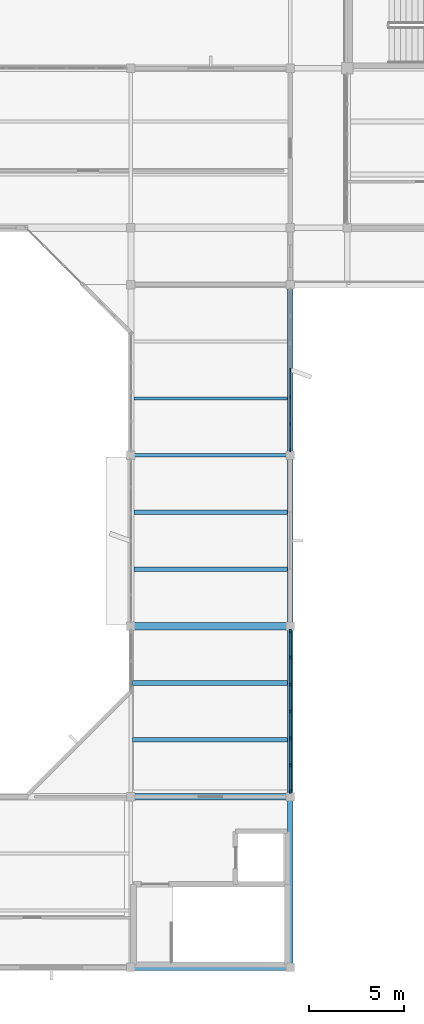
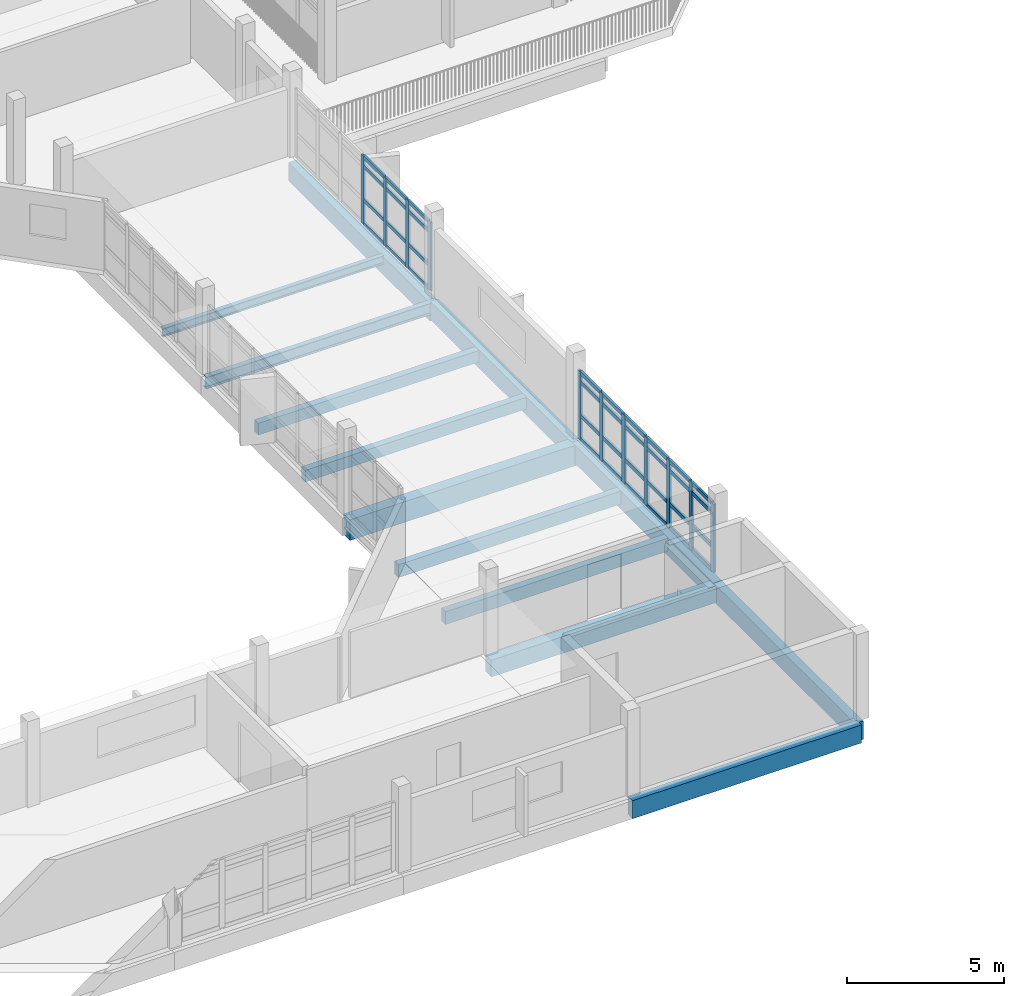
# One storey, part 6 of 33: 47 members, 13 beams, 2 elements without a shape of their own.
"""IFC4 building model written with IfcOpenShell, lengths in metres."""

from ifc_helpers import new_model, si_unit, direction, frame, origin, origin_2d, place, context, subcontext, project, spatial, rectangle, i_section, extrude, material, material_profile, profile_set, type_object, element, aggregate, save


model = new_model("IFC4")

# Units and contexts
model_context = context("Model", 3, precision=1e-05, world=origin(), true_north=direction((0.0, 1.0)))
body_context = subcontext(model_context, "Body", "Model", "MODEL_VIEW")
ifc_project = project(units=[si_unit("LENGTHUNIT", "METRE"), si_unit("AREAUNIT", "SQUARE_METRE"), si_unit("VOLUMEUNIT", "CUBIC_METRE"), si_unit("PLANEANGLEUNIT", "RADIAN"), si_unit("MASSUNIT", "GRAM", prefix="KILO")], contexts=[model_context])

# Site, building, storey
site_placement = place(None, origin())
site = spatial("IfcSite", under=ifc_project, at=site_placement, CompositionType="ELEMENT")
building_placement = place(site_placement, origin())
building = spatial("IfcBuilding", under=site, at=building_placement, Name="Vanh Quang Courtyard School", CompositionType="ELEMENT")
storey_placement = place(building_placement, frame((0.0, 0.0, 18.60009765625)))
storey = spatial("IfcBuildingStorey", under=building, at=storey_placement, Name="L05", CompositionType="ELEMENT", Elevation=18.60009765625)

# Beams
ifc_material_1 = material(Name="Concrete C35/45", Category="concrete")
ifc_material_profile_1 = material_profile(ifc_material_1, rectangle(XDim=0.35009765625, YDim=0.64990234375, at=origin_2d()), Name="RC-BM 350x650")
ifc_profile_set_1 = profile_set([ifc_material_profile_1], Name="Concrete C35/45")
beam_type_1 = type_object("IfcBeamType", Name="BM-RC-350x650", PredefinedType="BEAM", material=ifc_profile_set_1)
beam_1_placement = place(storey_placement, frame((66.0, 41.39990234375, -0.5751953125), z_axis=(1.0, 0.0, 0.0), x_axis=(0.0, 1.0, 0.0)))
element("IfcBeam", 1, at=beam_1_placement, inside=storey, type_object=beam_type_1, Name="Beam B-05 (L05)", PredefinedType="BEAM", context=body_context, shape_type="SweptSolid", body=[
    extrude(rectangle(XDim=0.35009765625, YDim=0.64990234375, at=origin_2d()), origin(), (0.0, 0.0, 1.0), 8.39990234375),
])
ifc_material_profile_2 = material_profile(ifc_material_1, rectangle(XDim=0.39990234375, YDim=0.800048828125, at=origin_2d()), Name="RC-BM 400x800")
ifc_profile_set_2 = profile_set([ifc_material_profile_2], Name="Concrete C35/45")
beam_type_2 = type_object("IfcBeamType", Name="BM-RC-400x800", PredefinedType="BEAM", material=ifc_profile_set_2)
beam_2_placement = place(storey_placement, frame((66.0, 50.39990234375, -0.650146484375), z_axis=(1.0, 0.0, 0.0), x_axis=(0.0, 1.0, 0.0)))
element("IfcBeam", 2, at=beam_2_placement, inside=storey, type_object=beam_type_2, Name="Beam B-02 (L05)", PredefinedType="BEAM", context=body_context, shape_type="SweptSolid", body=[
    extrude(rectangle(XDim=0.39990234375, YDim=0.800048828125, at=origin_2d()), origin(), (0.0, 0.0, 1.0), 8.39990234375),
])
ifc_material_profile_3 = material_profile(ifc_material_1, rectangle(XDim=0.300048828125, YDim=0.699951171875, at=origin_2d()), Name="RC-SP 300x700")
ifc_profile_set_3 = profile_set([ifc_material_profile_3], Name="Concrete C35/45")
beam_type_3 = type_object("IfcBeamType", Name="BM-SP-300x700", PredefinedType="SPANDREL", material=ifc_profile_set_3)
beam_3_placement = place(storey_placement, frame((66.0, 32.39990234375, -0.60009765625), z_axis=(1.0, 0.0, 0.0), x_axis=(0.0, 1.0, 0.0)))
element("IfcBeam", 3, at=beam_3_placement, inside=storey, type_object=beam_type_3, Name="Beam BS-01 (L05)", PredefinedType="SPANDREL", context=body_context, shape_type="SweptSolid", body=[
    extrude(rectangle(XDim=0.300048828125, YDim=0.699951171875, at=origin_2d()), origin(), (0.0, 0.0, 1.0), 8.39990234375),
])
for number, where, z_axis, x_axis, name in (
    (4, (74.39990234375, 32.39990234375, -0.60009765625), (0.0, 1.0, 0.0), (-1.0, 0.0, 0.0), "Beam BS-01 (L05)"),
    (5, (74.39990234375, 41.39990234375, -0.60009765625), (0.0, 1.0, 0.0), (-1.0, 0.0, 0.0), "Beam BS-01 (L05)"),
    (6, (74.39990234375, 50.39990234375, -0.60009765625), (0.0, 1.0, 0.0), (-1.0, 0.0, 0.0), "Beam BS-01 (L05)"),
    (7, (74.39990234375, 59.39990234375, -0.670166015625), (0.0, 1.0, 0.0), (-1.0, 0.0, 0.0), "Beam BS-01 (L05)"),
):
    element("IfcBeam", number, at=place(storey_placement, frame(where, z_axis=z_axis, x_axis=x_axis)), inside=storey, type_object=beam_type_3, Name=name, PredefinedType="SPANDREL", context=body_context, shape_type="SweptSolid", body=[
        extrude(rectangle(XDim=0.300048828125, YDim=0.699951171875, at=origin_2d()), origin(), (0.0, 0.0, 1.0), 9.0),
    ])
ifc_material_2 = material(Name="Structural steel EN 10025-2 S355J2", Category="steel")
ifc_material_profile_4 = material_profile(ifc_material_2, i_section(OverallWidth=0.18994140625, OverallDepth=0.449951171875, WebThickness=0.009521484375, FlangeThickness=0.0146484375, FilletRadius=0.02099609375, at=origin_2d()), Name="IPE 450")
ifc_profile_set_4 = profile_set([ifc_material_profile_4], Name="Structural steel EN 10025-2 S355J2")
beam_type_4 = type_object("IfcBeamType", Name="BM-STL-IPE450", PredefinedType="BEAM", material=ifc_profile_set_4)
beam_4_placement = place(storey_placement, frame((66.0, 59.39990234375, -0.47509765625), z_axis=(1.0, 0.0, 0.0), x_axis=(0.0, 1.0, 0.0)))
element("IfcBeam", 8, at=beam_4_placement, inside=storey, type_object=beam_type_4, Name="Beam SB-04 (L05)", PredefinedType="BEAM", context=body_context, shape_type="SweptSolid", body=[
    extrude(i_section(OverallWidth=0.18994140625, OverallDepth=0.449951171875, WebThickness=0.009521484375, FlangeThickness=0.0146484375, FilletRadius=0.02099609375, at=origin_2d()), origin(), (0.0, 0.0, 1.0), 8.39990234375),
])

# Curtain wall, members
ifc_material_3 = material(Name="Thermally broken aluminium unitised curtain wall", Category="aluminium")
curtain_wall_type = type_object("IfcCurtainWallType", Name="CW-SYS-50", PredefinedType="NOTDEFINED", material=ifc_material_3)
curtain_wall_1_placement = place(storey_placement, origin())
curtain_wall_1 = element("IfcCurtainWall", 9, at=curtain_wall_1_placement, inside=storey, type_object=curtain_wall_type, Name="Curtain Wall CW-50 (L05)", PredefinedType="NOTDEFINED")
ifc_material_4 = material(Name="Anodised aluminium 6063-T6", Category="aluminium")
ifc_material_profile_5 = material_profile(ifc_material_4, rectangle(XDim=0.070068359375, YDim=0.179931640625, at=origin_2d()), Name="ALU-MUL 70x180")
ifc_profile_set_5 = profile_set([ifc_material_profile_5], Name="Anodised aluminium 6063-T6")
member_type_1 = type_object("IfcMemberType", Name="CW-MUL-70x180", PredefinedType="MULLION", material=ifc_profile_set_5)
member_1_placement = place(storey_placement, frame((74.39990234375, 63.89990234375, 0.0), z_axis=(0.0, 0.0, 1.0), x_axis=(1.0, 0.0, 0.0)))
member_1 = element("IfcMember", 10, at=member_1_placement, type_object=member_type_1, Name="CW-50 mullion 4", PredefinedType="MULLION", context=body_context, shape_type="SweptSolid", body=[
    extrude(rectangle(XDim=0.070068359375, YDim=0.179931640625, at=origin_2d()), origin(), (0.0, 0.0, 1.0), 2.64990234375),
])
member_2_placement = place(storey_placement, frame((74.39990234375, 62.477783203125, 0.0), z_axis=(0.0, 0.0, 1.0), x_axis=(1.0, 0.0, 0.0)))
member_2 = element("IfcMember", 11, at=member_2_placement, type_object=member_type_1, Name="CW-50 mullion 5", PredefinedType="MULLION", context=body_context, shape_type="SweptSolid", body=[
    extrude(rectangle(XDim=0.070068359375, YDim=0.179931640625, at=origin_2d()), origin(), (0.0, 0.0, 1.0), 2.64990234375),
])
member_3_placement = place(storey_placement, frame((74.39990234375, 61.055419921875, 0.0), z_axis=(0.0, 0.0, 1.0), x_axis=(1.0, 0.0, 0.0)))
member_3 = element("IfcMember", 12, at=member_3_placement, type_object=member_type_1, Name="CW-50 mullion 6", PredefinedType="MULLION", context=body_context, shape_type="SweptSolid", body=[
    extrude(rectangle(XDim=0.070068359375, YDim=0.179931640625, at=origin_2d()), origin(), (0.0, 0.0, 1.0), 2.64990234375),
])
member_4_placement = place(storey_placement, frame((74.39990234375, 59.66796875, 0.0), z_axis=(0.0, 0.0, 1.0), x_axis=(1.0, 0.0, 0.0)))
member_4 = element("IfcMember", 13, at=member_4_placement, type_object=member_type_1, Name="CW-50 mullion 7", PredefinedType="MULLION", context=body_context, shape_type="SweptSolid", body=[
    extrude(rectangle(XDim=0.070068359375, YDim=0.179931640625, at=origin_2d()), origin(), (0.0, 0.0, 1.0), 2.64990234375),
])

curtain_wall_2_placement = place(storey_placement, origin())
curtain_wall_2 = element("IfcCurtainWall", 14, at=curtain_wall_2_placement, inside=storey, type_object=curtain_wall_type, Name="Curtain Wall CW-50 (L05)", PredefinedType="NOTDEFINED")
ifc_material_profile_6 = material_profile(ifc_material_4, rectangle(XDim=0.080078125, YDim=0.199951171875, at=origin_2d()), Name="ALU-MUL 80x200")
ifc_profile_set_6 = profile_set([ifc_material_profile_6], Name="Anodised aluminium 6063-T6")
member_type_2 = type_object("IfcMemberType", Name="CW-MUL-80x200", PredefinedType="MULLION", material=ifc_profile_set_6)
member_5_placement = place(storey_placement, frame((74.39990234375, 50.126953125, 0.0), z_axis=(0.0, 0.0, 1.0), x_axis=(1.0, 0.0, 0.0)))
member_5 = element("IfcMember", 15, at=member_5_placement, type_object=member_type_2, Name="CW-50 mullion 1", PredefinedType="MULLION", context=body_context, shape_type="SweptSolid", body=[
    extrude(rectangle(XDim=0.080078125, YDim=0.199951171875, at=origin_2d()), origin(), (0.0, 0.0, 1.0), 2.64990234375),
])
member_6_placement = place(storey_placement, frame((74.39990234375, 48.74462890625, 0.0), z_axis=(0.0, 0.0, 1.0), x_axis=(1.0, 0.0, 0.0)))
member_6 = element("IfcMember", 16, at=member_6_placement, type_object=member_type_2, Name="CW-50 mullion 2", PredefinedType="MULLION", context=body_context, shape_type="SweptSolid", body=[
    extrude(rectangle(XDim=0.080078125, YDim=0.199951171875, at=origin_2d()), origin(), (0.0, 0.0, 1.0), 2.64990234375),
])
member_7_placement = place(storey_placement, frame((74.39990234375, 47.322265625, 0.0), z_axis=(0.0, 0.0, 1.0), x_axis=(1.0, 0.0, 0.0)))
member_7 = element("IfcMember", 17, at=member_7_placement, type_object=member_type_2, Name="CW-50 mullion 3", PredefinedType="MULLION", context=body_context, shape_type="SweptSolid", body=[
    extrude(rectangle(XDim=0.080078125, YDim=0.199951171875, at=origin_2d()), origin(), (0.0, 0.0, 1.0), 2.64990234375),
])
member_8_placement = place(storey_placement, frame((74.39990234375, 45.89990234375, 0.0), z_axis=(0.0, 0.0, 1.0), x_axis=(1.0, 0.0, 0.0)))
member_8 = element("IfcMember", 18, at=member_8_placement, type_object=member_type_2, Name="CW-50 mullion 4", PredefinedType="MULLION", context=body_context, shape_type="SweptSolid", body=[
    extrude(rectangle(XDim=0.080078125, YDim=0.199951171875, at=origin_2d()), origin(), (0.0, 0.0, 1.0), 2.64990234375),
])
member_9_placement = place(storey_placement, frame((74.39990234375, 44.477783203125, 0.0), z_axis=(0.0, 0.0, 1.0), x_axis=(1.0, 0.0, 0.0)))
member_9 = element("IfcMember", 19, at=member_9_placement, type_object=member_type_2, Name="CW-50 mullion 5", PredefinedType="MULLION", context=body_context, shape_type="SweptSolid", body=[
    extrude(rectangle(XDim=0.080078125, YDim=0.199951171875, at=origin_2d()), origin(), (0.0, 0.0, 1.0), 2.64990234375),
])
member_10_placement = place(storey_placement, frame((74.39990234375, 43.055419921875, 0.0), z_axis=(0.0, 0.0, 1.0), x_axis=(1.0, 0.0, 0.0)))
member_10 = element("IfcMember", 20, at=member_10_placement, type_object=member_type_2, Name="CW-50 mullion 6", PredefinedType="MULLION", context=body_context, shape_type="SweptSolid", body=[
    extrude(rectangle(XDim=0.080078125, YDim=0.199951171875, at=origin_2d()), origin(), (0.0, 0.0, 1.0), 2.64990234375),
])
member_11_placement = place(storey_placement, frame((74.39990234375, 41.673095703125, 0.0), z_axis=(0.0, 0.0, 1.0), x_axis=(1.0, 0.0, 0.0)))
member_11 = element("IfcMember", 21, at=member_11_placement, type_object=member_type_2, Name="CW-50 mullion 7", PredefinedType="MULLION", context=body_context, shape_type="SweptSolid", body=[
    extrude(rectangle(XDim=0.080078125, YDim=0.199951171875, at=origin_2d()), origin(), (0.0, 0.0, 1.0), 2.64990234375),
])

# Member
ifc_material_profile_7 = material_profile(ifc_material_4, rectangle(XDim=0.070068359375, YDim=0.139892578125, at=origin_2d()), Name="ALU-TRN 70x140")
ifc_profile_set_7 = profile_set([ifc_material_profile_7], Name="Anodised aluminium 6063-T6")
member_type_3 = type_object("IfcMemberType", Name="CW-TRN-70x140", PredefinedType="USERDEFINED", material=ifc_profile_set_7)
member_12_placement = place(storey_placement, frame((74.39990234375, 63.864990234375, 0.034912109375), z_axis=(0.0, -1.0, 0.0), x_axis=(1.0, 0.0, 0.0)))
member_12 = element("IfcMember", 22, at=member_12_placement, type_object=member_type_3, Name="CW-50 transom 4.1", ObjectType="TRANSOM", PredefinedType="USERDEFINED", context=body_context, shape_type="SweptSolid", body=[
    extrude(rectangle(XDim=0.070068359375, YDim=0.139892578125, at=origin_2d()), origin(), (0.0, 0.0, 1.0), 1.352294921875),
])

member_13_placement = place(storey_placement, frame((74.39990234375, 63.864990234375, 0.949951171875), z_axis=(0.0, -1.0, 0.0), x_axis=(1.0, 0.0, 0.0)))
member_13 = element("IfcMember", 23, at=member_13_placement, type_object=member_type_3, Name="CW-50 transom 4.2", ObjectType="TRANSOM", PredefinedType="USERDEFINED", context=body_context, shape_type="SweptSolid", body=[
    extrude(rectangle(XDim=0.070068359375, YDim=0.139892578125, at=origin_2d()), origin(), (0.0, 0.0, 1.0), 1.352294921875),
])

member_14_placement = place(storey_placement, frame((74.39990234375, 63.864990234375, 2.25), z_axis=(0.0, -1.0, 0.0), x_axis=(1.0, 0.0, 0.0)))
member_14 = element("IfcMember", 24, at=member_14_placement, type_object=member_type_3, Name="CW-50 transom 4.3", ObjectType="TRANSOM", PredefinedType="USERDEFINED", context=body_context, shape_type="SweptSolid", body=[
    extrude(rectangle(XDim=0.070068359375, YDim=0.139892578125, at=origin_2d()), origin(), (0.0, 0.0, 1.0), 1.352294921875),
])

member_15_placement = place(storey_placement, frame((74.39990234375, 63.864990234375, 2.614990234375), z_axis=(0.0, -1.0, 0.0), x_axis=(1.0, 0.0, 0.0)))
member_15 = element("IfcMember", 25, at=member_15_placement, type_object=member_type_3, Name="CW-50 transom 4.4", ObjectType="TRANSOM", PredefinedType="USERDEFINED", context=body_context, shape_type="SweptSolid", body=[
    extrude(rectangle(XDim=0.070068359375, YDim=0.139892578125, at=origin_2d()), origin(), (0.0, 0.0, 1.0), 1.352294921875),
])

member_16_placement = place(storey_placement, frame((74.39990234375, 62.442626953125, 0.034912109375), z_axis=(0.0, -1.0, 0.0), x_axis=(1.0, 0.0, 0.0)))
member_16 = element("IfcMember", 26, at=member_16_placement, type_object=member_type_3, Name="CW-50 transom 5.1", ObjectType="TRANSOM", PredefinedType="USERDEFINED", context=body_context, shape_type="SweptSolid", body=[
    extrude(rectangle(XDim=0.070068359375, YDim=0.139892578125, at=origin_2d()), origin(), (0.0, 0.0, 1.0), 1.352294921875),
])

member_17_placement = place(storey_placement, frame((74.39990234375, 62.442626953125, 0.949951171875), z_axis=(0.0, -1.0, 0.0), x_axis=(1.0, 0.0, 0.0)))
member_17 = element("IfcMember", 27, at=member_17_placement, type_object=member_type_3, Name="CW-50 transom 5.2", ObjectType="TRANSOM", PredefinedType="USERDEFINED", context=body_context, shape_type="SweptSolid", body=[
    extrude(rectangle(XDim=0.070068359375, YDim=0.139892578125, at=origin_2d()), origin(), (0.0, 0.0, 1.0), 1.352294921875),
])

member_18_placement = place(storey_placement, frame((74.39990234375, 62.442626953125, 2.25), z_axis=(0.0, -1.0, 0.0), x_axis=(1.0, 0.0, 0.0)))
member_18 = element("IfcMember", 28, at=member_18_placement, type_object=member_type_3, Name="CW-50 transom 5.3", ObjectType="TRANSOM", PredefinedType="USERDEFINED", context=body_context, shape_type="SweptSolid", body=[
    extrude(rectangle(XDim=0.070068359375, YDim=0.139892578125, at=origin_2d()), origin(), (0.0, 0.0, 1.0), 1.352294921875),
])

member_19_placement = place(storey_placement, frame((74.39990234375, 62.442626953125, 2.614990234375), z_axis=(0.0, -1.0, 0.0), x_axis=(1.0, 0.0, 0.0)))
member_19 = element("IfcMember", 29, at=member_19_placement, type_object=member_type_3, Name="CW-50 transom 5.4", ObjectType="TRANSOM", PredefinedType="USERDEFINED", context=body_context, shape_type="SweptSolid", body=[
    extrude(rectangle(XDim=0.070068359375, YDim=0.139892578125, at=origin_2d()), origin(), (0.0, 0.0, 1.0), 1.352294921875),
])

member_20_placement = place(storey_placement, frame((74.39990234375, 61.020263671875, 0.034912109375), z_axis=(0.0, -1.0, 0.0), x_axis=(1.0, 0.0, 0.0)))
member_20 = element("IfcMember", 30, at=member_20_placement, type_object=member_type_3, Name="CW-50 transom 6.1", ObjectType="TRANSOM", PredefinedType="USERDEFINED", context=body_context, shape_type="SweptSolid", body=[
    extrude(rectangle(XDim=0.070068359375, YDim=0.139892578125, at=origin_2d()), origin(), (0.0, 0.0, 1.0), 1.3173828125),
])

member_21_placement = place(storey_placement, frame((74.39990234375, 61.020263671875, 0.949951171875), z_axis=(0.0, -1.0, 0.0), x_axis=(1.0, 0.0, 0.0)))
member_21 = element("IfcMember", 31, at=member_21_placement, type_object=member_type_3, Name="CW-50 transom 6.2", ObjectType="TRANSOM", PredefinedType="USERDEFINED", context=body_context, shape_type="SweptSolid", body=[
    extrude(rectangle(XDim=0.070068359375, YDim=0.139892578125, at=origin_2d()), origin(), (0.0, 0.0, 1.0), 1.3173828125),
])

member_22_placement = place(storey_placement, frame((74.39990234375, 61.020263671875, 2.25), z_axis=(0.0, -1.0, 0.0), x_axis=(1.0, 0.0, 0.0)))
member_22 = element("IfcMember", 32, at=member_22_placement, type_object=member_type_3, Name="CW-50 transom 6.3", ObjectType="TRANSOM", PredefinedType="USERDEFINED", context=body_context, shape_type="SweptSolid", body=[
    extrude(rectangle(XDim=0.070068359375, YDim=0.139892578125, at=origin_2d()), origin(), (0.0, 0.0, 1.0), 1.3173828125),
])

member_23_placement = place(storey_placement, frame((74.39990234375, 61.020263671875, 2.614990234375), z_axis=(0.0, -1.0, 0.0), x_axis=(1.0, 0.0, 0.0)))
member_23 = element("IfcMember", 33, at=member_23_placement, type_object=member_type_3, Name="CW-50 transom 6.4", ObjectType="TRANSOM", PredefinedType="USERDEFINED", context=body_context, shape_type="SweptSolid", body=[
    extrude(rectangle(XDim=0.070068359375, YDim=0.139892578125, at=origin_2d()), origin(), (0.0, 0.0, 1.0), 1.3173828125),
])

aggregate(curtain_wall_1, [member_1, member_2, member_3, member_4, member_12, member_13, member_14, member_15, member_16, member_17, member_18, member_19, member_20, member_21, member_22, member_23])

ifc_material_profile_8 = material_profile(ifc_material_4, rectangle(XDim=0.080078125, YDim=0.14990234375, at=origin_2d()), Name="ALU-TRN 80x150")
ifc_profile_set_8 = profile_set([ifc_material_profile_8], Name="Anodised aluminium 6063-T6")
member_type_4 = type_object("IfcMemberType", Name="CW-TRN-80x150", PredefinedType="USERDEFINED", material=ifc_profile_set_8)
member_24_placement = place(storey_placement, frame((74.39990234375, 50.0869140625, 0.039794921875), z_axis=(0.0, -1.0, 0.0), x_axis=(1.0, 0.0, 0.0)))
member_24 = element("IfcMember", 34, at=member_24_placement, type_object=member_type_4, Name="CW-50 transom 1.1", ObjectType="TRANSOM", PredefinedType="USERDEFINED", context=body_context, shape_type="SweptSolid", body=[
    extrude(rectangle(XDim=0.080078125, YDim=0.14990234375, at=origin_2d()), origin(), (0.0, 0.0, 1.0), 1.30224609375),
])

member_25_placement = place(storey_placement, frame((74.39990234375, 50.0869140625, 0.949951171875), z_axis=(0.0, -1.0, 0.0), x_axis=(1.0, 0.0, 0.0)))
member_25 = element("IfcMember", 35, at=member_25_placement, type_object=member_type_4, Name="CW-50 transom 1.2", ObjectType="TRANSOM", PredefinedType="USERDEFINED", context=body_context, shape_type="SweptSolid", body=[
    extrude(rectangle(XDim=0.080078125, YDim=0.14990234375, at=origin_2d()), origin(), (0.0, 0.0, 1.0), 1.30224609375),
])

member_26_placement = place(storey_placement, frame((74.39990234375, 50.0869140625, 2.25), z_axis=(0.0, -1.0, 0.0), x_axis=(1.0, 0.0, 0.0)))
member_26 = element("IfcMember", 36, at=member_26_placement, type_object=member_type_4, Name="CW-50 transom 1.3", ObjectType="TRANSOM", PredefinedType="USERDEFINED", context=body_context, shape_type="SweptSolid", body=[
    extrude(rectangle(XDim=0.080078125, YDim=0.14990234375, at=origin_2d()), origin(), (0.0, 0.0, 1.0), 1.30224609375),
])

member_27_placement = place(storey_placement, frame((74.39990234375, 50.0869140625, 2.60986328125), z_axis=(0.0, -1.0, 0.0), x_axis=(1.0, 0.0, 0.0)))
member_27 = element("IfcMember", 37, at=member_27_placement, type_object=member_type_4, Name="CW-50 transom 1.4", ObjectType="TRANSOM", PredefinedType="USERDEFINED", context=body_context, shape_type="SweptSolid", body=[
    extrude(rectangle(XDim=0.080078125, YDim=0.14990234375, at=origin_2d()), origin(), (0.0, 0.0, 1.0), 1.30224609375),
])

member_28_placement = place(storey_placement, frame((74.39990234375, 48.70458984375, 0.039794921875), z_axis=(0.0, -1.0, 0.0), x_axis=(1.0, 0.0, 0.0)))
member_28 = element("IfcMember", 38, at=member_28_placement, type_object=member_type_4, Name="CW-50 transom 2.1", ObjectType="TRANSOM", PredefinedType="USERDEFINED", context=body_context, shape_type="SweptSolid", body=[
    extrude(rectangle(XDim=0.080078125, YDim=0.14990234375, at=origin_2d()), origin(), (0.0, 0.0, 1.0), 1.34228515625),
])

member_29_placement = place(storey_placement, frame((74.39990234375, 48.70458984375, 0.949951171875), z_axis=(0.0, -1.0, 0.0), x_axis=(1.0, 0.0, 0.0)))
member_29 = element("IfcMember", 39, at=member_29_placement, type_object=member_type_4, Name="CW-50 transom 2.2", ObjectType="TRANSOM", PredefinedType="USERDEFINED", context=body_context, shape_type="SweptSolid", body=[
    extrude(rectangle(XDim=0.080078125, YDim=0.14990234375, at=origin_2d()), origin(), (0.0, 0.0, 1.0), 1.34228515625),
])

member_30_placement = place(storey_placement, frame((74.39990234375, 48.70458984375, 2.25), z_axis=(0.0, -1.0, 0.0), x_axis=(1.0, 0.0, 0.0)))
member_30 = element("IfcMember", 40, at=member_30_placement, type_object=member_type_4, Name="CW-50 transom 2.3", ObjectType="TRANSOM", PredefinedType="USERDEFINED", context=body_context, shape_type="SweptSolid", body=[
    extrude(rectangle(XDim=0.080078125, YDim=0.14990234375, at=origin_2d()), origin(), (0.0, 0.0, 1.0), 1.34228515625),
])

member_31_placement = place(storey_placement, frame((74.39990234375, 48.70458984375, 2.60986328125), z_axis=(0.0, -1.0, 0.0), x_axis=(1.0, 0.0, 0.0)))
member_31 = element("IfcMember", 41, at=member_31_placement, type_object=member_type_4, Name="CW-50 transom 2.4", ObjectType="TRANSOM", PredefinedType="USERDEFINED", context=body_context, shape_type="SweptSolid", body=[
    extrude(rectangle(XDim=0.080078125, YDim=0.14990234375, at=origin_2d()), origin(), (0.0, 0.0, 1.0), 1.34228515625),
])

member_32_placement = place(storey_placement, frame((74.39990234375, 47.2822265625, 0.039794921875), z_axis=(0.0, -1.0, 0.0), x_axis=(1.0, 0.0, 0.0)))
member_32 = element("IfcMember", 42, at=member_32_placement, type_object=member_type_4, Name="CW-50 transom 3.1", ObjectType="TRANSOM", PredefinedType="USERDEFINED", context=body_context, shape_type="SweptSolid", body=[
    extrude(rectangle(XDim=0.080078125, YDim=0.14990234375, at=origin_2d()), origin(), (0.0, 0.0, 1.0), 1.34228515625),
])

member_33_placement = place(storey_placement, frame((74.39990234375, 47.2822265625, 0.949951171875), z_axis=(0.0, -1.0, 0.0), x_axis=(1.0, 0.0, 0.0)))
member_33 = element("IfcMember", 43, at=member_33_placement, type_object=member_type_4, Name="CW-50 transom 3.2", ObjectType="TRANSOM", PredefinedType="USERDEFINED", context=body_context, shape_type="SweptSolid", body=[
    extrude(rectangle(XDim=0.080078125, YDim=0.14990234375, at=origin_2d()), origin(), (0.0, 0.0, 1.0), 1.34228515625),
])

member_34_placement = place(storey_placement, frame((74.39990234375, 47.2822265625, 2.25), z_axis=(0.0, -1.0, 0.0), x_axis=(1.0, 0.0, 0.0)))
member_34 = element("IfcMember", 44, at=member_34_placement, type_object=member_type_4, Name="CW-50 transom 3.3", ObjectType="TRANSOM", PredefinedType="USERDEFINED", context=body_context, shape_type="SweptSolid", body=[
    extrude(rectangle(XDim=0.080078125, YDim=0.14990234375, at=origin_2d()), origin(), (0.0, 0.0, 1.0), 1.34228515625),
])

member_35_placement = place(storey_placement, frame((74.39990234375, 47.2822265625, 2.60986328125), z_axis=(0.0, -1.0, 0.0), x_axis=(1.0, 0.0, 0.0)))
member_35 = element("IfcMember", 45, at=member_35_placement, type_object=member_type_4, Name="CW-50 transom 3.4", ObjectType="TRANSOM", PredefinedType="USERDEFINED", context=body_context, shape_type="SweptSolid", body=[
    extrude(rectangle(XDim=0.080078125, YDim=0.14990234375, at=origin_2d()), origin(), (0.0, 0.0, 1.0), 1.34228515625),
])

member_36_placement = place(storey_placement, frame((74.39990234375, 45.860107421875, 0.039794921875), z_axis=(0.0, -1.0, 0.0), x_axis=(1.0, 0.0, 0.0)))
member_36 = element("IfcMember", 46, at=member_36_placement, type_object=member_type_4, Name="CW-50 transom 4.1", ObjectType="TRANSOM", PredefinedType="USERDEFINED", context=body_context, shape_type="SweptSolid", body=[
    extrude(rectangle(XDim=0.080078125, YDim=0.14990234375, at=origin_2d()), origin(), (0.0, 0.0, 1.0), 1.342529296875),
])

member_37_placement = place(storey_placement, frame((74.39990234375, 45.860107421875, 0.949951171875), z_axis=(0.0, -1.0, 0.0), x_axis=(1.0, 0.0, 0.0)))
member_37 = element("IfcMember", 47, at=member_37_placement, type_object=member_type_4, Name="CW-50 transom 4.2", ObjectType="TRANSOM", PredefinedType="USERDEFINED", context=body_context, shape_type="SweptSolid", body=[
    extrude(rectangle(XDim=0.080078125, YDim=0.14990234375, at=origin_2d()), origin(), (0.0, 0.0, 1.0), 1.342529296875),
])

member_38_placement = place(storey_placement, frame((74.39990234375, 45.860107421875, 2.25), z_axis=(0.0, -1.0, 0.0), x_axis=(1.0, 0.0, 0.0)))
member_38 = element("IfcMember", 48, at=member_38_placement, type_object=member_type_4, Name="CW-50 transom 4.3", ObjectType="TRANSOM", PredefinedType="USERDEFINED", context=body_context, shape_type="SweptSolid", body=[
    extrude(rectangle(XDim=0.080078125, YDim=0.14990234375, at=origin_2d()), origin(), (0.0, 0.0, 1.0), 1.342529296875),
])

member_39_placement = place(storey_placement, frame((74.39990234375, 45.860107421875, 2.60986328125), z_axis=(0.0, -1.0, 0.0), x_axis=(1.0, 0.0, 0.0)))
member_39 = element("IfcMember", 49, at=member_39_placement, type_object=member_type_4, Name="CW-50 transom 4.4", ObjectType="TRANSOM", PredefinedType="USERDEFINED", context=body_context, shape_type="SweptSolid", body=[
    extrude(rectangle(XDim=0.080078125, YDim=0.14990234375, at=origin_2d()), origin(), (0.0, 0.0, 1.0), 1.342529296875),
])

member_40_placement = place(storey_placement, frame((74.39990234375, 44.437744140625, 0.039794921875), z_axis=(0.0, -1.0, 0.0), x_axis=(1.0, 0.0, 0.0)))
member_40 = element("IfcMember", 50, at=member_40_placement, type_object=member_type_4, Name="CW-50 transom 5.1", ObjectType="TRANSOM", PredefinedType="USERDEFINED", context=body_context, shape_type="SweptSolid", body=[
    extrude(rectangle(XDim=0.080078125, YDim=0.14990234375, at=origin_2d()), origin(), (0.0, 0.0, 1.0), 1.342529296875),
])

member_41_placement = place(storey_placement, frame((74.39990234375, 44.437744140625, 0.949951171875), z_axis=(0.0, -1.0, 0.0), x_axis=(1.0, 0.0, 0.0)))
member_41 = element("IfcMember", 51, at=member_41_placement, type_object=member_type_4, Name="CW-50 transom 5.2", ObjectType="TRANSOM", PredefinedType="USERDEFINED", context=body_context, shape_type="SweptSolid", body=[
    extrude(rectangle(XDim=0.080078125, YDim=0.14990234375, at=origin_2d()), origin(), (0.0, 0.0, 1.0), 1.342529296875),
])

member_42_placement = place(storey_placement, frame((74.39990234375, 44.437744140625, 2.25), z_axis=(0.0, -1.0, 0.0), x_axis=(1.0, 0.0, 0.0)))
member_42 = element("IfcMember", 52, at=member_42_placement, type_object=member_type_4, Name="CW-50 transom 5.3", ObjectType="TRANSOM", PredefinedType="USERDEFINED", context=body_context, shape_type="SweptSolid", body=[
    extrude(rectangle(XDim=0.080078125, YDim=0.14990234375, at=origin_2d()), origin(), (0.0, 0.0, 1.0), 1.342529296875),
])

member_43_placement = place(storey_placement, frame((74.39990234375, 44.437744140625, 2.60986328125), z_axis=(0.0, -1.0, 0.0), x_axis=(1.0, 0.0, 0.0)))
member_43 = element("IfcMember", 53, at=member_43_placement, type_object=member_type_4, Name="CW-50 transom 5.4", ObjectType="TRANSOM", PredefinedType="USERDEFINED", context=body_context, shape_type="SweptSolid", body=[
    extrude(rectangle(XDim=0.080078125, YDim=0.14990234375, at=origin_2d()), origin(), (0.0, 0.0, 1.0), 1.342529296875),
])

member_44_placement = place(storey_placement, frame((74.39990234375, 43.015380859375, 0.039794921875), z_axis=(0.0, -1.0, 0.0), x_axis=(1.0, 0.0, 0.0)))
member_44 = element("IfcMember", 54, at=member_44_placement, type_object=member_type_4, Name="CW-50 transom 6.1", ObjectType="TRANSOM", PredefinedType="USERDEFINED", context=body_context, shape_type="SweptSolid", body=[
    extrude(rectangle(XDim=0.080078125, YDim=0.14990234375, at=origin_2d()), origin(), (0.0, 0.0, 1.0), 1.302490234375),
])

member_45_placement = place(storey_placement, frame((74.39990234375, 43.015380859375, 0.949951171875), z_axis=(0.0, -1.0, 0.0), x_axis=(1.0, 0.0, 0.0)))
member_45 = element("IfcMember", 55, at=member_45_placement, type_object=member_type_4, Name="CW-50 transom 6.2", ObjectType="TRANSOM", PredefinedType="USERDEFINED", context=body_context, shape_type="SweptSolid", body=[
    extrude(rectangle(XDim=0.080078125, YDim=0.14990234375, at=origin_2d()), origin(), (0.0, 0.0, 1.0), 1.302490234375),
])

member_46_placement = place(storey_placement, frame((74.39990234375, 43.015380859375, 2.25), z_axis=(0.0, -1.0, 0.0), x_axis=(1.0, 0.0, 0.0)))
member_46 = element("IfcMember", 56, at=member_46_placement, type_object=member_type_4, Name="CW-50 transom 6.3", ObjectType="TRANSOM", PredefinedType="USERDEFINED", context=body_context, shape_type="SweptSolid", body=[
    extrude(rectangle(XDim=0.080078125, YDim=0.14990234375, at=origin_2d()), origin(), (0.0, 0.0, 1.0), 1.302490234375),
])

member_47_placement = place(storey_placement, frame((74.39990234375, 43.015380859375, 2.60986328125), z_axis=(0.0, -1.0, 0.0), x_axis=(1.0, 0.0, 0.0)))
member_47 = element("IfcMember", 57, at=member_47_placement, type_object=member_type_4, Name="CW-50 transom 6.4", ObjectType="TRANSOM", PredefinedType="USERDEFINED", context=body_context, shape_type="SweptSolid", body=[
    extrude(rectangle(XDim=0.080078125, YDim=0.14990234375, at=origin_2d()), origin(), (0.0, 0.0, 1.0), 1.302490234375),
])

aggregate(curtain_wall_2, [member_5, member_6, member_7, member_8, member_9, member_10, member_11, member_24, member_25, member_26, member_27, member_28, member_29, member_30, member_31, member_32, member_33, member_34, member_35, member_36, member_37, member_38, member_39, member_40, member_41, member_42, member_43, member_44, member_45, member_46, member_47])

# Beams
ifc_material_5 = material(Name="Concrete C30/37", Category="concrete")
ifc_material_profile_9 = material_profile(ifc_material_5, rectangle(XDim=0.25, YDim=0.449951171875, at=origin_2d()), Name="RC-JST 250x450")
ifc_profile_set_9 = profile_set([ifc_material_profile_9], Name="Concrete C30/37")
beam_type_5 = type_object("IfcBeamType", Name="JST-RC-250x450", PredefinedType="JOIST", material=ifc_profile_set_9)
for number, where, z_axis, x_axis, name in (
    (58, (66.14990234375, 53.39990234375, -0.47509765625), (1.0, 0.0, 0.0), (0.0, 1.0, 0.0), "Beam BJ-02 (L05)"),
    (59, (66.14990234375, 56.39990234375, -0.47509765625), (1.0, 0.0, 0.0), (0.0, 1.0, 0.0), "Beam BJ-02 (L05)"),
):
    element("IfcBeam", number, at=place(storey_placement, frame(where, z_axis=z_axis, x_axis=x_axis)), inside=storey, type_object=beam_type_5, Name=name, PredefinedType="JOIST", context=body_context, shape_type="SweptSolid", body=[
        extrude(rectangle(XDim=0.25, YDim=0.449951171875, at=origin_2d()), origin(), (0.0, 0.0, 1.0), 8.10009765625),
    ])
ifc_material_profile_10 = material_profile(ifc_material_5, rectangle(XDim=0.25, YDim=0.5, at=origin_2d()), Name="RC-JST 250x500")
ifc_profile_set_10 = profile_set([ifc_material_profile_10], Name="Concrete C30/37")
beam_type_6 = type_object("IfcBeamType", Name="JST-RC-250x500", PredefinedType="JOIST", material=ifc_profile_set_10)
for number, where, z_axis, x_axis, name in (
    (60, (66.090087890625, 44.39990234375, -0.5), (1.0, 0.0, 0.0), (0.0, 1.0, 0.0), "Beam BJ-01 (L05)"),
    (61, (66.090087890625, 47.39990234375, -0.5), (1.0, 0.0, 0.0), (0.0, 1.0, 0.0), "Beam BJ-01 (L05)"),
):
    element("IfcBeam", number, at=place(storey_placement, frame(where, z_axis=z_axis, x_axis=x_axis)), inside=storey, type_object=beam_type_6, Name=name, PredefinedType="JOIST", context=body_context, shape_type="SweptSolid", body=[
        extrude(rectangle(XDim=0.25, YDim=0.5, at=origin_2d()), origin(), (0.0, 0.0, 1.0), 8.159912109375),
    ])
ifc_material_profile_11 = material_profile(ifc_material_2, i_section(OverallWidth=0.159912109375, OverallDepth=0.330078125, WebThickness=0.007568359375, FlangeThickness=0.011474609375, FilletRadius=0.01806640625, at=origin_2d()), Name="IPE 330")
ifc_profile_set_11 = profile_set([ifc_material_profile_11], Name="Structural steel EN 10025-2 S355J2")
beam_type_7 = type_object("IfcBeamType", Name="JST-STL-IPE330", PredefinedType="JOIST", material=ifc_profile_set_11)
beam_5_placement = place(storey_placement, frame((66.14990234375, 62.39990234375, -0.4150390625), z_axis=(1.0, 0.0, 0.0), x_axis=(0.0, 1.0, 0.0)))
element("IfcBeam", 62, at=beam_5_placement, inside=storey, type_object=beam_type_7, Name="Beam SJ-01 (L05)", PredefinedType="JOIST", context=body_context, shape_type="SweptSolid", body=[
    extrude(i_section(OverallWidth=0.159912109375, OverallDepth=0.330078125, WebThickness=0.007568359375, FlangeThickness=0.011474609375, FilletRadius=0.01806640625, at=origin_2d()), origin(), (0.0, 0.0, 1.0), 8.10009765625),
])

save(model, "model.ifc")
